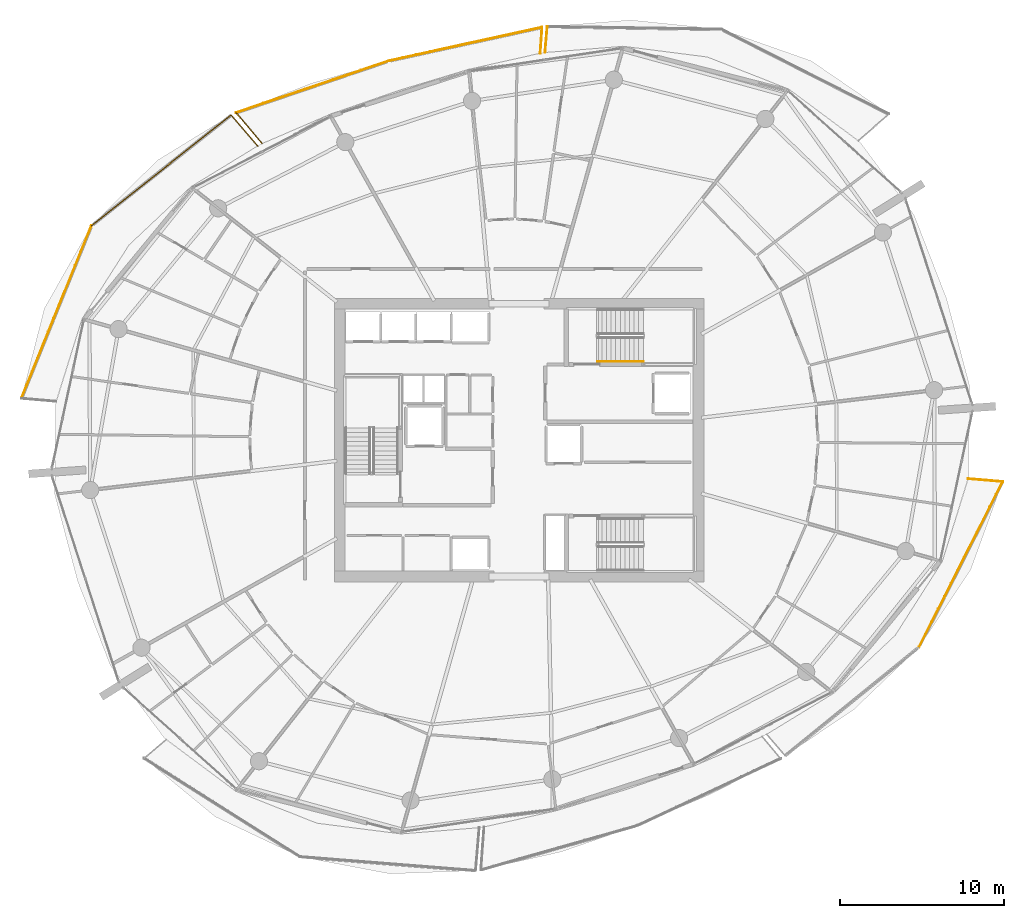
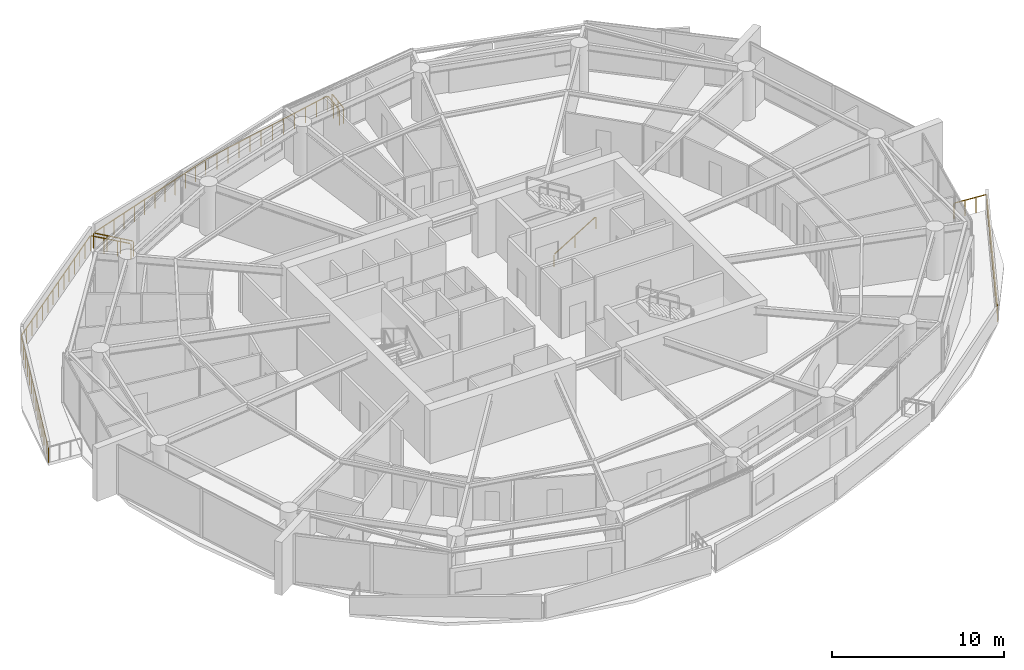
# One storey, part 19 of 20: 11 railings.
"""IFC4 building model written with IfcOpenShell, lengths in metres."""

import ifcopenshell
import ifcopenshell.guid

model = None  # the IFC model being written
_history = None  # IfcOwnerHistory: only IFC2X3 demands one
_inside = {}  # id of a spatial element -> (the spatial element, [elements in it])
_under = {}  # id of a project, library or spatial element -> (it, [spatial elements below it])
_declared = {}  # id of a project -> (the project, [libraries it declares])
_typed = {}  # id of a type object -> (the type object, [elements of that type])
_made_of = {}  # id of a material, layer set ... -> (it, [elements and type objects made of it])


def new_model(schema):
    """Start an empty IFC model of exactly this schema.

    Asked for "IFC4X3", IfcOpenShell would pick the latest addendum, in which some entities
    have other attributes; the version numbers below select the first issue.
    IFC2X3 requires an IfcOwnerHistory on every rooted entity: one is made here for all.
    """
    global model, _history
    if schema == "IFC4X3":
        model = ifcopenshell.file(schema_version=(4, 3, 0, 0))
    else:
        model = ifcopenshell.file(schema=schema)
    _inside.clear()
    _under.clear()
    _declared.clear()
    _typed.clear()
    _made_of.clear()
    _history = None
    if model.schema == "IFC2X3":
        org = make("IfcOrganization", Name="unknown")
        user = make(
            "IfcPersonAndOrganization",
            ThePerson=make("IfcPerson", FamilyName="unknown"),
            TheOrganization=org,
        )
        app = make(
            "IfcApplication",
            ApplicationDeveloper=org,
            Version="unknown",
            ApplicationFullName="unknown",
            ApplicationIdentifier="unknown",
        )
        _history = make(
            "IfcOwnerHistory",
            OwningUser=user,
            OwningApplication=app,
            ChangeAction="ADDED",
            CreationDate=0,
        )
    return model


def make(cls, **values):
    """One entity of the class cls with the attributes given. An attribute that is None is left unset."""
    return model.create_entity(
        cls, **{name: value for name, value in values.items() if value is not None}
    )


def rooted(cls, **values):
    """An entity with a GlobalId (a new one), such as an element, a storey or a relation."""
    return make(cls, GlobalId=ifcopenshell.guid.new(), OwnerHistory=_history, **values)


def si_unit(unit_type, name, prefix=None):
    """IfcSIUnit, for example si_unit("LENGTHUNIT", "METRE", prefix="MILLI")."""
    return make("IfcSIUnit", UnitType=unit_type, Prefix=prefix, Name=name)


def assignment(units):
    """IfcUnitAssignment: the units of a project."""
    return None if units is None else make("IfcUnitAssignment", Units=units)


def point(xyz):
    """IfcCartesianPoint."""
    return None if xyz is None else make("IfcCartesianPoint", Coordinates=xyz)


def direction(xyz):
    """IfcDirection."""
    return None if xyz is None else make("IfcDirection", DirectionRatios=xyz)


def frame(location, z_axis=None, x_axis=None):
    """IfcAxis2Placement3D, a coordinate frame: its origin and axes. An axis left out is left unset."""
    return make(
        "IfcAxis2Placement3D",
        Location=point(location),
        Axis=direction(z_axis),
        RefDirection=direction(x_axis),
    )


def frame_2d(location, x_axis=None):
    """IfcAxis2Placement2D, a coordinate frame in the plane: its origin and x axis."""
    return make(
        "IfcAxis2Placement2D", Location=point(location), RefDirection=direction(x_axis)
    )


def origin():
    """The frame at (0, 0, 0) with its axes left unset."""
    return frame((0.0, 0.0, 0.0))


def origin_2d():
    """The frame at (0, 0) in the plane with its x axis left unset."""
    return frame_2d((0.0, 0.0))


def place(relative_to, where):
    """IfcLocalPlacement: puts the frame where relative to a parent placement (None: the world)."""
    return make(
        "IfcLocalPlacement", PlacementRelTo=relative_to, RelativePlacement=where
    )


def context(
    kind, dimensions, precision=None, world=None, true_north=None, identifier=None
):
    """IfcGeometricRepresentationContext, for example the 3D "Model" context."""
    return make(
        "IfcGeometricRepresentationContext",
        ContextIdentifier=identifier,
        ContextType=kind,
        CoordinateSpaceDimension=dimensions,
        Precision=precision,
        WorldCoordinateSystem=world,
        TrueNorth=true_north,
    )


def subcontext(parent, identifier, kind, view, scale=None):
    """IfcGeometricRepresentationSubContext, for example "Body" below "Model"."""
    return make(
        "IfcGeometricRepresentationSubContext",
        ContextIdentifier=identifier,
        ContextType=kind,
        ParentContext=parent,
        TargetScale=scale,
        TargetView=view,
    )


def project(units=None, contexts=None):
    """IfcProject with its units and contexts."""
    return rooted(
        "IfcProject",
        Name="project",
        RepresentationContexts=contexts,
        UnitsInContext=assignment(units),
    )


def spatial(cls, under=None, at=None, **own):
    """A site, building, storey or space (cls), placed at a placement, below another one or the project."""
    s = rooted(cls, ObjectPlacement=at, **own)
    if under is not None:
        _under.setdefault(under.id(), (under, []))[1].append(s)
    return s


def profile(cls, at=None, kind="AREA", **sizes):
    """A parametric profile (cls). Its sizes go by their IFC names, for example OverallWidth=200.0."""
    return make(cls, ProfileType=kind, Position=at, **sizes)


def rectangle(**sizes):
    """IfcRectangleProfileDef."""
    return profile("IfcRectangleProfileDef", **sizes)


def extrude(swept, where, along, depth):
    """IfcExtrudedAreaSolid: the profile swept, set in the frame where, extruded along a direction by depth."""
    return make(
        "IfcExtrudedAreaSolid",
        SweptArea=swept,
        Position=where,
        ExtrudedDirection=direction(along),
        Depth=depth,
    )


def shape(context_of_items, identifier, shape_type, items):
    """IfcShapeRepresentation: the items that make up one representation, for example the "Body"."""
    return make(
        "IfcShapeRepresentation",
        ContextOfItems=context_of_items,
        RepresentationIdentifier=identifier,
        RepresentationType=shape_type,
        Items=items,
    )


def material(Name=None, Category=None):
    """IfcMaterial."""
    return make("IfcMaterial", Name=Name, Category=Category)


def made_of(thing, what):
    """Note that an element or type object is made of a material, layer set ...; save() writes the relation."""
    if what is not None:
        _made_of.setdefault(what.id(), (what, []))[1].append(thing)
    return thing


def type_object(cls, material=None, **own):
    """A type object (cls), such as IfcWallType, which elements share."""
    return made_of(rooted(cls, **own), material)


def element(
    cls,
    number,
    at=None,
    inside=None,
    cuts=None,
    type_object=None,
    material=None,
    context=None,
    identifier="Body",
    shape_type=None,
    held_by="IfcProductDefinitionShape",
    body=None,
    shapes=None,
    **own,
):
    """One element of the class cls, such as IfcWall. Its Tag is "e" and its number.

    at: its placement. inside: the storey or other place that contains it. cuts: it is an
    opening in that element (IfcRelVoidsElement). A single representation is given by context,
    identifier, shape_type and body (its items); several are given by shapes. held_by: the class
    of the entity that holds the representations. save() writes the other relations.
    """
    e = rooted(cls, Tag="e%d" % number, ObjectPlacement=at, **own)
    if body is not None:
        shapes = [shape(context, identifier, shape_type, body)]
    if shapes is not None:
        e.Representation = make(held_by, Representations=shapes)
    if inside is not None:
        _inside.setdefault(inside.id(), (inside, []))[1].append(e)
    if cuts is not None:
        rooted(
            "IfcRelVoidsElement", RelatingBuildingElement=cuts, RelatedOpeningElement=e
        )
    if type_object is not None:
        _typed.setdefault(type_object.id(), (type_object, []))[1].append(e)
    return made_of(e, material)


def aggregate(whole, parts):
    """IfcRelAggregates: a whole, such as a stair, and the parts it consists of."""
    return rooted("IfcRelAggregates", RelatingObject=whole, RelatedObjects=parts)


def save(model, path):
    """Write the relations noted so far, then the file.

    IfcRelAggregates (storeys below a building ...), IfcRelContainedInSpatialStructure (elements
    in a storey), IfcRelDefinesByType, IfcRelAssociatesMaterial and IfcRelDeclares: one each for
    every whole, place, type object, material and project.
    """
    for whole, parts in _under.values():
        aggregate(whole, parts)
    for where, things in _inside.values():
        rooted(
            "IfcRelContainedInSpatialStructure",
            RelatedElements=things,
            RelatingStructure=where,
        )
    for kind, things in _typed.values():
        rooted("IfcRelDefinesByType", RelatedObjects=things, RelatingType=kind)
    for what, things in _made_of.values():
        rooted("IfcRelAssociatesMaterial", RelatedObjects=things, RelatingMaterial=what)
    for by, libraries in _declared.values():
        rooted("IfcRelDeclares", RelatingContext=by, RelatedDefinitions=libraries)
    model.write(path)


model = new_model("IFC4")

# Units and contexts
model_context = context("Model", 3, precision=1e-05, world=origin(), true_north=direction((0.0, 1.0)))
body_context = subcontext(model_context, "Body", "Model", "MODEL_VIEW")
ifc_project = project(units=[si_unit("LENGTHUNIT", "METRE"), si_unit("AREAUNIT", "SQUARE_METRE"), si_unit("VOLUMEUNIT", "CUBIC_METRE"), si_unit("PLANEANGLEUNIT", "RADIAN"), si_unit("MASSUNIT", "GRAM", prefix="KILO")], contexts=[model_context])

# Site, building, storey
site_placement = place(None, origin())
site = spatial("IfcSite", under=ifc_project, at=site_placement, CompositionType="ELEMENT")
building_placement = place(site_placement, origin())
building = spatial("IfcBuilding", under=site, at=building_placement, Name="Kazma Halo Residences", CompositionType="ELEMENT")
storey_placement = place(building_placement, frame((0.0, 0.0, 202.800048828125)))
storey = spatial("IfcBuildingStorey", under=building, at=storey_placement, Name="L51", CompositionType="ELEMENT", Elevation=202.800048828125)

# Railings
ifc_material_1 = material(Name="Aluminium AW-6063 T6 Brushed Cap Rail", Category="aluminium")
railing_type_1 = type_object("IfcRailingType", Name="RLG-BAL-CAP-1120", PredefinedType="BALUSTRADE", material=ifc_material_1)
railing_1_placement = place(storey_placement, frame((50.1416015625, 67.239501953125, 0.0)))
element("IfcRailing", 1, at=railing_1_placement, inside=storey, type_object=railing_type_1, Name="L51 NE wave balcony guard 4", PredefinedType="BALUSTRADE", context=body_context, shape_type="SweptSolid", body=[
    extrude(rectangle(XDim=0.050048828125, YDim=0.050048828125, at=origin_2d()), frame((-0.003662109375, -0.04248046875, 1.09521484375), z_axis=(-0.084647309245, -0.996410975972, 0.0), x_axis=(0.996410975972, -0.084647309245, 0.0)), (0.0, 0.0, 1.0), 1.504150390625),
    extrude(rectangle(XDim=0.0400390625, YDim=0.0400390625, at=origin_2d()), origin(), (0.0, 0.0, 1.0), 1.05810546875),
    extrude(rectangle(XDim=0.0400390625, YDim=0.0400390625, at=origin_2d()), frame((-0.0673828125, -0.791748046875, 0.0)), (0.0, 0.0, 1.0), 1.05810546875),
    extrude(rectangle(XDim=0.0400390625, YDim=0.0400390625, at=origin_2d()), frame((-0.134521484375, -1.58349609375, 0.0)), (0.0, 0.0, 1.0), 1.05810546875),
])
railing_2_placement = place(storey_placement, frame((49.713134765625, 65.612060546875, 0.0)))
element("IfcRailing", 2, at=railing_2_placement, inside=storey, type_object=railing_type_1, Name="L51 NNW wave balcony guard 1", PredefinedType="BALUSTRADE", context=body_context, shape_type="SweptSolid", body=[
    extrude(rectangle(XDim=0.050048828125, YDim=0.050048828125, at=origin_2d()), frame((0.003173828125, 0.04248046875, 1.09521484375), z_axis=(0.07240752413, 0.997375130254, 0.0), x_axis=(-0.997375130254, 0.07240752413, 0.0)), (0.0, 0.0, 1.0), 1.499755859375),
    extrude(rectangle(XDim=0.0400390625, YDim=0.0400390625, at=origin_2d()), origin(), (0.0, 0.0, 1.0), 1.05810546875),
    extrude(rectangle(XDim=0.0400390625, YDim=0.0400390625, at=origin_2d()), frame((0.057373046875, 0.790283203125, 0.0)), (0.0, 0.0, 1.0), 1.05810546875),
    extrude(rectangle(XDim=0.0400390625, YDim=0.0400390625, at=origin_2d()), frame((0.11474609375, 1.58056640625, 0.0)), (0.0, 0.0, 1.0), 1.05810546875),
])
railing_3_placement = place(storey_placement, frame((49.827880859375, 67.192626953125, 0.0)))
element("IfcRailing", 3, at=railing_3_placement, inside=storey, type_object=railing_type_1, Name="L51 NNW wave balcony guard 2", PredefinedType="BALUSTRADE", context=body_context, shape_type="SweptSolid", body=[
    extrude(rectangle(XDim=0.050048828125, YDim=0.050048828125, at=origin_2d()), frame((-0.04150390625, -0.009033203125, 1.09521484375), z_axis=(-0.976835730847, -0.213990548716, 0.0), x_axis=(0.213990548716, -0.976835730847, 0.0)), (0.0, 0.0, 1.0), 9.484619140625),
    extrude(rectangle(XDim=0.0400390625, YDim=0.0400390625, at=origin_2d()), origin(), (0.0, 0.0, 1.0), 1.05810546875),
    extrude(rectangle(XDim=0.0400390625, YDim=0.0400390625, at=origin_2d()), frame((-0.849853515625, -0.186279296875, 0.0)), (0.0, 0.0, 1.0), 1.05810546875),
    extrude(rectangle(XDim=0.0400390625, YDim=0.0400390625, at=origin_2d()), frame((-1.69970703125, -0.372314453125, 0.0)), (0.0, 0.0, 1.0), 1.05810546875),
    extrude(rectangle(XDim=0.0400390625, YDim=0.0400390625, at=origin_2d()), frame((-2.549560546875, -0.55859375, 0.0)), (0.0, 0.0, 1.0), 1.05810546875),
    extrude(rectangle(XDim=0.0400390625, YDim=0.0400390625, at=origin_2d()), frame((-3.3994140625, -0.74462890625, 0.0)), (0.0, 0.0, 1.0), 1.05810546875),
    extrude(rectangle(XDim=0.0400390625, YDim=0.0400390625, at=origin_2d()), frame((-4.249267578125, -0.930908203125, 0.0)), (0.0, 0.0, 1.0), 1.05810546875),
    extrude(rectangle(XDim=0.0400390625, YDim=0.0400390625, at=origin_2d()), frame((-5.098876953125, -1.116943359375, 0.0)), (0.0, 0.0, 1.0), 1.05810546875),
    extrude(rectangle(XDim=0.0400390625, YDim=0.0400390625, at=origin_2d()), frame((-5.94873046875, -1.30322265625, 0.0)), (0.0, 0.0, 1.0), 1.05810546875),
    extrude(rectangle(XDim=0.0400390625, YDim=0.0400390625, at=origin_2d()), frame((-6.798583984375, -1.4892578125, 0.0)), (0.0, 0.0, 1.0), 1.05810546875),
    extrude(rectangle(XDim=0.0400390625, YDim=0.0400390625, at=origin_2d()), frame((-7.6484375, -1.675537109375, 0.0)), (0.0, 0.0, 1.0), 1.05810546875),
    extrude(rectangle(XDim=0.0400390625, YDim=0.0400390625, at=origin_2d()), frame((-8.498291015625, -1.861572265625, 0.0)), (0.0, 0.0, 1.0), 1.05810546875),
    extrude(rectangle(XDim=0.0400390625, YDim=0.0400390625, at=origin_2d()), frame((-9.34814453125, -2.0478515625, 0.0)), (0.0, 0.0, 1.0), 1.05810546875),
])
railing_4_placement = place(storey_placement, frame((40.479736328125, 65.144775390625, 0.0)))
element("IfcRailing", 4, at=railing_4_placement, inside=storey, type_object=railing_type_1, Name="L51 NNW wave balcony guard 3", PredefinedType="BALUSTRADE", context=body_context, shape_type="SweptSolid", body=[
    extrude(rectangle(XDim=0.050048828125, YDim=0.050048828125, at=origin_2d()), frame((-0.040283203125, -0.013671875, 1.09521484375), z_axis=(-0.947045836606, -0.321098401379, 0.0), x_axis=(0.321098401379, -0.947045836606, 0.0)), (0.0, 0.0, 1.0), 9.77099609375),
    extrude(rectangle(XDim=0.0400390625, YDim=0.0400390625, at=origin_2d()), origin(), (0.0, 0.0, 1.0), 1.05810546875),
    extrude(rectangle(XDim=0.0400390625, YDim=0.0400390625, at=origin_2d()), frame((-0.8486328125, -0.28759765625, 0.0)), (0.0, 0.0, 1.0), 1.05810546875),
    extrude(rectangle(XDim=0.0400390625, YDim=0.0400390625, at=origin_2d()), frame((-1.697021484375, -0.575439453125, 0.0)), (0.0, 0.0, 1.0), 1.05810546875),
    extrude(rectangle(XDim=0.0400390625, YDim=0.0400390625, at=origin_2d()), frame((-2.545654296875, -0.863037109375, 0.0)), (0.0, 0.0, 1.0), 1.05810546875),
    extrude(rectangle(XDim=0.0400390625, YDim=0.0400390625, at=origin_2d()), frame((-3.394287109375, -1.15087890625, 0.0)), (0.0, 0.0, 1.0), 1.05810546875),
    extrude(rectangle(XDim=0.0400390625, YDim=0.0400390625, at=origin_2d()), frame((-4.242919921875, -1.4384765625, 0.0)), (0.0, 0.0, 1.0), 1.05810546875),
    extrude(rectangle(XDim=0.0400390625, YDim=0.0400390625, at=origin_2d()), frame((-5.09130859375, -1.726318359375, 0.0)), (0.0, 0.0, 1.0), 1.05810546875),
    extrude(rectangle(XDim=0.0400390625, YDim=0.0400390625, at=origin_2d()), frame((-5.93994140625, -2.013916015625, 0.0)), (0.0, 0.0, 1.0), 1.05810546875),
    extrude(rectangle(XDim=0.0400390625, YDim=0.0400390625, at=origin_2d()), frame((-6.78857421875, -2.3017578125, 0.0)), (0.0, 0.0, 1.0), 1.05810546875),
    extrude(rectangle(XDim=0.0400390625, YDim=0.0400390625, at=origin_2d()), frame((-7.63720703125, -2.58935546875, 0.0)), (0.0, 0.0, 1.0), 1.05810546875),
    extrude(rectangle(XDim=0.0400390625, YDim=0.0400390625, at=origin_2d()), frame((-8.485595703125, -2.877197265625, 0.0)), (0.0, 0.0, 1.0), 1.05810546875),
    extrude(rectangle(XDim=0.0400390625, YDim=0.0400390625, at=origin_2d()), frame((-9.334228515625, -3.164794921875, 0.0)), (0.0, 0.0, 1.0), 1.05810546875),
])
railing_5_placement = place(storey_placement, frame((31.1455078125, 61.97998046875, 0.0)))
element("IfcRailing", 5, at=railing_5_placement, inside=storey, type_object=railing_type_1, Name="L51 NNW wave balcony guard 4", PredefinedType="BALUSTRADE", context=body_context, shape_type="SweptSolid", body=[
    extrude(rectangle(XDim=0.050048828125, YDim=0.050048828125, at=origin_2d()), frame((0.02734375, -0.032470703125, 1.09521484375), z_axis=(0.644760664692, -0.764384514015, 0.0), x_axis=(0.764384514015, 0.644760664692, 0.0)), (0.0, 0.0, 1.0), 2.38037109375),
    extrude(rectangle(XDim=0.0400390625, YDim=0.0400390625, at=origin_2d()), origin(), (0.0, 0.0, 1.0), 1.05810546875),
    extrude(rectangle(XDim=0.0400390625, YDim=0.0400390625, at=origin_2d()), frame((0.52978515625, -0.628173828125, 0.0)), (0.0, 0.0, 1.0), 1.05810546875),
    extrude(rectangle(XDim=0.0400390625, YDim=0.0400390625, at=origin_2d()), frame((1.059814453125, -1.25634765625, 0.0)), (0.0, 0.0, 1.0), 1.05810546875),
    extrude(rectangle(XDim=0.0400390625, YDim=0.0400390625, at=origin_2d()), frame((1.589599609375, -1.884521484375, 0.0)), (0.0, 0.0, 1.0), 1.05810546875),
])
railing_6_placement = place(storey_placement, frame((32.471435546875, 59.958251953125, 0.0)))
element("IfcRailing", 6, at=railing_6_placement, inside=storey, type_object=railing_type_1, Name="L51 NW wave balcony guard 1", PredefinedType="BALUSTRADE", context=body_context, shape_type="SweptSolid", body=[
    extrude(rectangle(XDim=0.050048828125, YDim=0.050048828125, at=origin_2d()), frame((-0.02783203125, 0.0322265625, 1.09521484375), z_axis=(-0.654088095175, 0.756418378776, 0.0), x_axis=(-0.756418378776, -0.654088095175, 0.0)), (0.0, 0.0, 1.0), 2.3984375),
    extrude(rectangle(XDim=0.0400390625, YDim=0.0400390625, at=origin_2d()), origin(), (0.0, 0.0, 1.0), 1.05810546875),
    extrude(rectangle(XDim=0.0400390625, YDim=0.0400390625, at=origin_2d()), frame((-0.54150390625, 0.626220703125, 0.0)), (0.0, 0.0, 1.0), 1.05810546875),
    extrude(rectangle(XDim=0.0400390625, YDim=0.0400390625, at=origin_2d()), frame((-1.0830078125, 1.25244140625, 0.0)), (0.0, 0.0, 1.0), 1.05810546875),
    extrude(rectangle(XDim=0.0400390625, YDim=0.0400390625, at=origin_2d()), frame((-1.62451171875, 1.878662109375, 0.0)), (0.0, 0.0, 1.0), 1.05810546875),
])
railing_7_placement = place(storey_placement, frame((30.846923828125, 61.8369140625, 0.0)))
element("IfcRailing", 7, at=railing_7_placement, inside=storey, type_object=railing_type_1, Name="L51 NW wave balcony guard 2", PredefinedType="BALUSTRADE", context=body_context, shape_type="SweptSolid", body=[
    extrude(rectangle(XDim=0.050048828125, YDim=0.050048828125, at=origin_2d()), frame((-0.033447265625, -0.0263671875, 1.09521484375), z_axis=(-0.783927468115, -0.620852417838, 0.0), x_axis=(0.620852417838, -0.783927468115, 0.0)), (0.0, 0.0, 1.0), 10.79150390625),
    extrude(rectangle(XDim=0.0400390625, YDim=0.0400390625, at=origin_2d()), origin(), (0.0, 0.0, 1.0), 1.05810546875),
    extrude(rectangle(XDim=0.0400390625, YDim=0.0400390625, at=origin_2d()), frame((-0.65576171875, -0.51953125, 0.0)), (0.0, 0.0, 1.0), 1.05810546875),
    extrude(rectangle(XDim=0.0400390625, YDim=0.0400390625, at=origin_2d()), frame((-1.311767578125, -1.038818359375, 0.0)), (0.0, 0.0, 1.0), 1.05810546875),
    extrude(rectangle(XDim=0.0400390625, YDim=0.0400390625, at=origin_2d()), frame((-1.967529296875, -1.558349609375, 0.0)), (0.0, 0.0, 1.0), 1.05810546875),
    extrude(rectangle(XDim=0.0400390625, YDim=0.0400390625, at=origin_2d()), frame((-2.62353515625, -2.07763671875, 0.0)), (0.0, 0.0, 1.0), 1.05810546875),
    extrude(rectangle(XDim=0.0400390625, YDim=0.0400390625, at=origin_2d()), frame((-3.279296875, -2.59716796875, 0.0)), (0.0, 0.0, 1.0), 1.05810546875),
    extrude(rectangle(XDim=0.0400390625, YDim=0.0400390625, at=origin_2d()), frame((-3.935302734375, -3.11669921875, 0.0)), (0.0, 0.0, 1.0), 1.05810546875),
    extrude(rectangle(XDim=0.0400390625, YDim=0.0400390625, at=origin_2d()), frame((-4.591064453125, -3.635986328125, 0.0)), (0.0, 0.0, 1.0), 1.05810546875),
    extrude(rectangle(XDim=0.0400390625, YDim=0.0400390625, at=origin_2d()), frame((-5.2470703125, -4.155517578125, 0.0)), (0.0, 0.0, 1.0), 1.05810546875),
    extrude(rectangle(XDim=0.0400390625, YDim=0.0400390625, at=origin_2d()), frame((-5.90283203125, -4.675048828125, 0.0)), (0.0, 0.0, 1.0), 1.05810546875),
    extrude(rectangle(XDim=0.0400390625, YDim=0.0400390625, at=origin_2d()), frame((-6.558837890625, -5.1943359375, 0.0)), (0.0, 0.0, 1.0), 1.05810546875),
    extrude(rectangle(XDim=0.0400390625, YDim=0.0400390625, at=origin_2d()), frame((-7.214599609375, -5.7138671875, 0.0)), (0.0, 0.0, 1.0), 1.05810546875),
    extrude(rectangle(XDim=0.0400390625, YDim=0.0400390625, at=origin_2d()), frame((-7.87060546875, -6.233154296875, 0.0)), (0.0, 0.0, 1.0), 1.05810546875),
    extrude(rectangle(XDim=0.0400390625, YDim=0.0400390625, at=origin_2d()), frame((-8.5263671875, -6.752685546875, 0.0)), (0.0, 0.0, 1.0), 1.05810546875),
])
railing_8_placement = place(storey_placement, frame((22.320556640625, 55.084228515625, 0.0)))
element("IfcRailing", 8, at=railing_8_placement, inside=storey, type_object=railing_type_1, Name="L51 NW wave balcony guard 3", PredefinedType="BALUSTRADE", context=body_context, shape_type="SweptSolid", body=[
    extrude(rectangle(XDim=0.050048828125, YDim=0.050048828125, at=origin_2d()), frame((-0.015869140625, -0.039306640625, 1.09521484375), z_axis=(-0.375830136457, -0.92668857149, 0.0), x_axis=(0.92668857149, -0.375830136457, 0.0)), (0.0, 0.0, 1.0), 11.29150390625),
    extrude(rectangle(XDim=0.0400390625, YDim=0.0400390625, at=origin_2d()), origin(), (0.0, 0.0, 1.0), 1.05810546875),
    extrude(rectangle(XDim=0.0400390625, YDim=0.0400390625, at=origin_2d()), frame((-0.328857421875, -0.81103515625, 0.0)), (0.0, 0.0, 1.0), 1.05810546875),
    extrude(rectangle(XDim=0.0400390625, YDim=0.0400390625, at=origin_2d()), frame((-0.65771484375, -1.621826171875, 0.0)), (0.0, 0.0, 1.0), 1.05810546875),
    extrude(rectangle(XDim=0.0400390625, YDim=0.0400390625, at=origin_2d()), frame((-0.986572265625, -2.432861328125, 0.0)), (0.0, 0.0, 1.0), 1.05810546875),
    extrude(rectangle(XDim=0.0400390625, YDim=0.0400390625, at=origin_2d()), frame((-1.315673828125, -3.243896484375, 0.0)), (0.0, 0.0, 1.0), 1.05810546875),
    extrude(rectangle(XDim=0.0400390625, YDim=0.0400390625, at=origin_2d()), frame((-1.64453125, -4.0546875, 0.0)), (0.0, 0.0, 1.0), 1.05810546875),
    extrude(rectangle(XDim=0.0400390625, YDim=0.0400390625, at=origin_2d()), frame((-1.973388671875, -4.86572265625, 0.0)), (0.0, 0.0, 1.0), 1.05810546875),
    extrude(rectangle(XDim=0.0400390625, YDim=0.0400390625, at=origin_2d()), frame((-2.30224609375, -5.6767578125, 0.0)), (0.0, 0.0, 1.0), 1.05810546875),
    extrude(rectangle(XDim=0.0400390625, YDim=0.0400390625, at=origin_2d()), frame((-2.631103515625, -6.48779296875, 0.0)), (0.0, 0.0, 1.0), 1.05810546875),
    extrude(rectangle(XDim=0.0400390625, YDim=0.0400390625, at=origin_2d()), frame((-2.9599609375, -7.298583984375, 0.0)), (0.0, 0.0, 1.0), 1.05810546875),
    extrude(rectangle(XDim=0.0400390625, YDim=0.0400390625, at=origin_2d()), frame((-3.2890625, -8.109619140625, 0.0)), (0.0, 0.0, 1.0), 1.05810546875),
    extrude(rectangle(XDim=0.0400390625, YDim=0.0400390625, at=origin_2d()), frame((-3.617919921875, -8.920654296875, 0.0)), (0.0, 0.0, 1.0), 1.05810546875),
    extrude(rectangle(XDim=0.0400390625, YDim=0.0400390625, at=origin_2d()), frame((-3.94677734375, -9.7314453125, 0.0)), (0.0, 0.0, 1.0), 1.05810546875),
    extrude(rectangle(XDim=0.0400390625, YDim=0.0400390625, at=origin_2d()), frame((-4.275634765625, -10.54248046875, 0.0)), (0.0, 0.0, 1.0), 1.05810546875),
])
railing_9_placement = place(storey_placement, frame((72.8232421875, 29.351806640625, 0.0)))
element("IfcRailing", 9, at=railing_9_placement, inside=storey, type_object=railing_type_1, Name="L51 SE wave balcony guard 3", PredefinedType="BALUSTRADE", context=body_context, shape_type="SweptSolid", body=[
    extrude(rectangle(XDim=0.050048828125, YDim=0.050048828125, at=origin_2d()), frame((0.019287109375, 0.037841796875, 1.09521484375), z_axis=(0.45137268002, 0.892335533155, 0.0), x_axis=(-0.892335533155, 0.45137268002, 0.0)), (0.0, 0.0, 1.0), 11.24267578125),
    extrude(rectangle(XDim=0.0400390625, YDim=0.0400390625, at=origin_2d()), origin(), (0.0, 0.0, 1.0), 1.05810546875),
    extrude(rectangle(XDim=0.0400390625, YDim=0.0400390625, at=origin_2d()), frame((0.393310546875, 0.777587890625, 0.0)), (0.0, 0.0, 1.0), 1.05810546875),
    extrude(rectangle(XDim=0.0400390625, YDim=0.0400390625, at=origin_2d()), frame((0.78662109375, 1.55517578125, 0.0)), (0.0, 0.0, 1.0), 1.05810546875),
    extrude(rectangle(XDim=0.0400390625, YDim=0.0400390625, at=origin_2d()), frame((1.179931640625, 2.332763671875, 0.0)), (0.0, 0.0, 1.0), 1.05810546875),
    extrude(rectangle(XDim=0.0400390625, YDim=0.0400390625, at=origin_2d()), frame((1.5732421875, 3.110107421875, 0.0)), (0.0, 0.0, 1.0), 1.05810546875),
    extrude(rectangle(XDim=0.0400390625, YDim=0.0400390625, at=origin_2d()), frame((1.966552734375, 3.8876953125, 0.0)), (0.0, 0.0, 1.0), 1.05810546875),
    extrude(rectangle(XDim=0.0400390625, YDim=0.0400390625, at=origin_2d()), frame((2.35986328125, 4.665283203125, 0.0)), (0.0, 0.0, 1.0), 1.05810546875),
    extrude(rectangle(XDim=0.0400390625, YDim=0.0400390625, at=origin_2d()), frame((2.753173828125, 5.44287109375, 0.0)), (0.0, 0.0, 1.0), 1.05810546875),
    extrude(rectangle(XDim=0.0400390625, YDim=0.0400390625, at=origin_2d()), frame((3.146484375, 6.220458984375, 0.0)), (0.0, 0.0, 1.0), 1.05810546875),
    extrude(rectangle(XDim=0.0400390625, YDim=0.0400390625, at=origin_2d()), frame((3.539794921875, 6.998046875, 0.0)), (0.0, 0.0, 1.0), 1.05810546875),
    extrude(rectangle(XDim=0.0400390625, YDim=0.0400390625, at=origin_2d()), frame((3.93310546875, 7.775390625, 0.0)), (0.0, 0.0, 1.0), 1.05810546875),
    extrude(rectangle(XDim=0.0400390625, YDim=0.0400390625, at=origin_2d()), frame((4.326416015625, 8.552978515625, 0.0)), (0.0, 0.0, 1.0), 1.05810546875),
    extrude(rectangle(XDim=0.0400390625, YDim=0.0400390625, at=origin_2d()), frame((4.7197265625, 9.33056640625, 0.0)), (0.0, 0.0, 1.0), 1.05810546875),
    extrude(rectangle(XDim=0.0400390625, YDim=0.0400390625, at=origin_2d()), frame((5.113037109375, 10.108154296875, 0.0)), (0.0, 0.0, 1.0), 1.05810546875),
])
railing_10_placement = place(storey_placement, frame((77.936279296875, 39.4599609375, 0.0)))
element("IfcRailing", 10, at=railing_10_placement, inside=storey, type_object=railing_type_1, Name="L51 SE wave balcony guard 4", PredefinedType="BALUSTRADE", context=body_context, shape_type="SweptSolid", body=[
    extrude(rectangle(XDim=0.050048828125, YDim=0.050048828125, at=origin_2d()), frame((-0.04248046875, 0.003662109375, 1.09521484375), z_axis=(-0.996425003257, 0.084482026989, 0.0), x_axis=(-0.084482026989, -0.996425003257, 0.0)), (0.0, 0.0, 1.0), 2.0244140625),
    extrude(rectangle(XDim=0.0400390625, YDim=0.0400390625, at=origin_2d()), origin(), (0.0, 0.0, 1.0), 1.05810546875),
    extrude(rectangle(XDim=0.0400390625, YDim=0.0400390625, at=origin_2d()), frame((-0.70068359375, 0.059326171875, 0.0)), (0.0, 0.0, 1.0), 1.05810546875),
    extrude(rectangle(XDim=0.0400390625, YDim=0.0400390625, at=origin_2d()), frame((-1.4013671875, 0.118896484375, 0.0)), (0.0, 0.0, 1.0), 1.05810546875),
    extrude(rectangle(XDim=0.0400390625, YDim=0.0400390625, at=origin_2d()), frame((-2.10205078125, 0.17822265625, 0.0)), (0.0, 0.0, 1.0), 1.05810546875),
])
ifc_material_2 = material(Name="Brushed Stainless Steel", Category="steel")
railing_type_2 = type_object("IfcRailingType", Name="RLG-STAIR-HND-900", PredefinedType="HANDRAIL", material=ifc_material_2)
railing_11_placement = place(storey_placement, frame((53.199951171875, 46.800048828125, 0.17041015625)))
element("IfcRailing", 11, at=railing_11_placement, inside=storey, type_object=railing_type_2, Name="L51 ST-02 stair handrail 1", PredefinedType="HANDRAIL", context=body_context, shape_type="SweptSolid", body=[
    extrude(rectangle(XDim=0.050048828125, YDim=0.050048828125, at=origin_2d()), frame((0.036376953125, 0.0, 0.89697265625), z_axis=(0.854169791009, 0.0, 0.51999420009), x_axis=(0.0, 1.0, 0.0)), (0.0, 0.0, 1.0), 3.193115234375),
    extrude(rectangle(XDim=0.0400390625, YDim=0.0400390625, at=origin_2d()), origin(), (0.0, 0.0, 1.0), 0.837890625),
    extrude(rectangle(XDim=0.0400390625, YDim=0.0400390625, at=origin_2d()), frame((1.39990234375, 0.0, 0.852294921875)), (0.0, 0.0, 1.0), 0.837890625),
    extrude(rectangle(XDim=0.0400390625, YDim=0.0400390625, at=origin_2d()), frame((2.800048828125, 0.0, 1.70458984375)), (0.0, 0.0, 1.0), 0.837890625),
])

save(model, "model.ifc")
